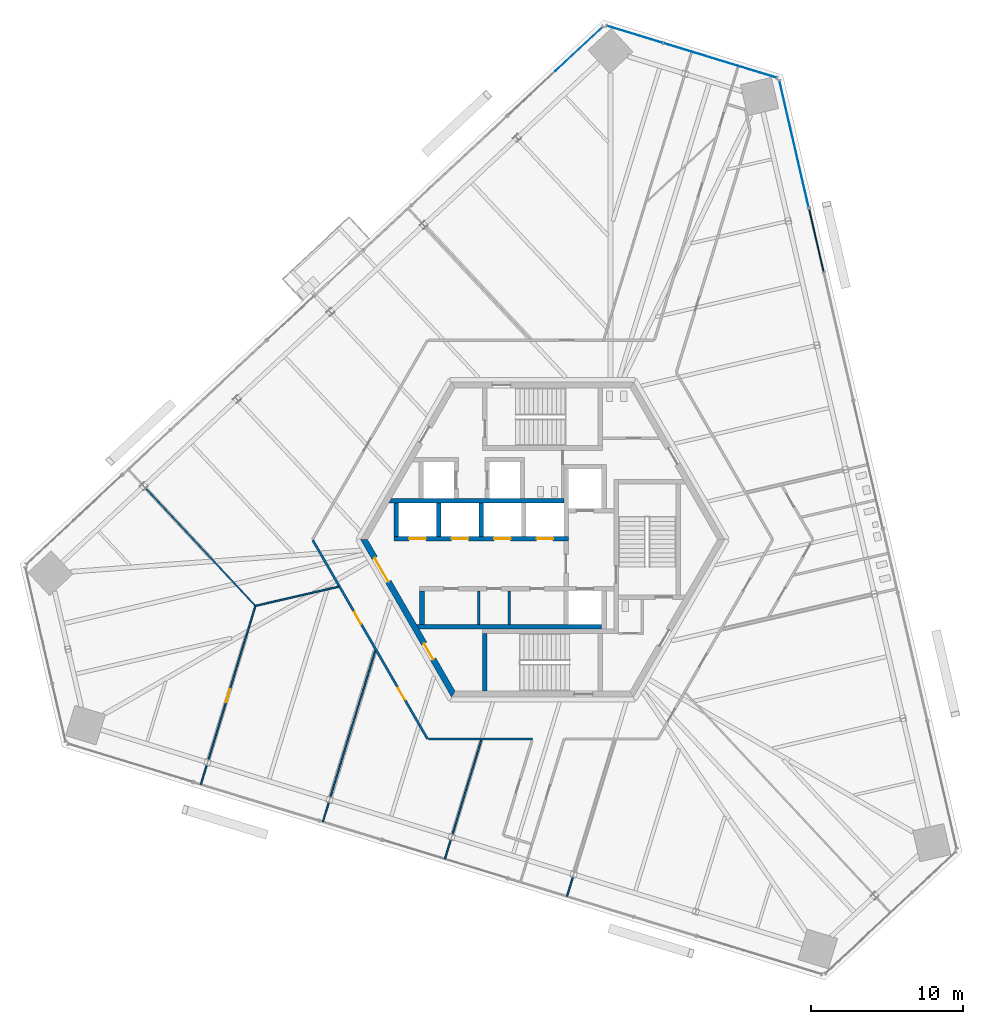
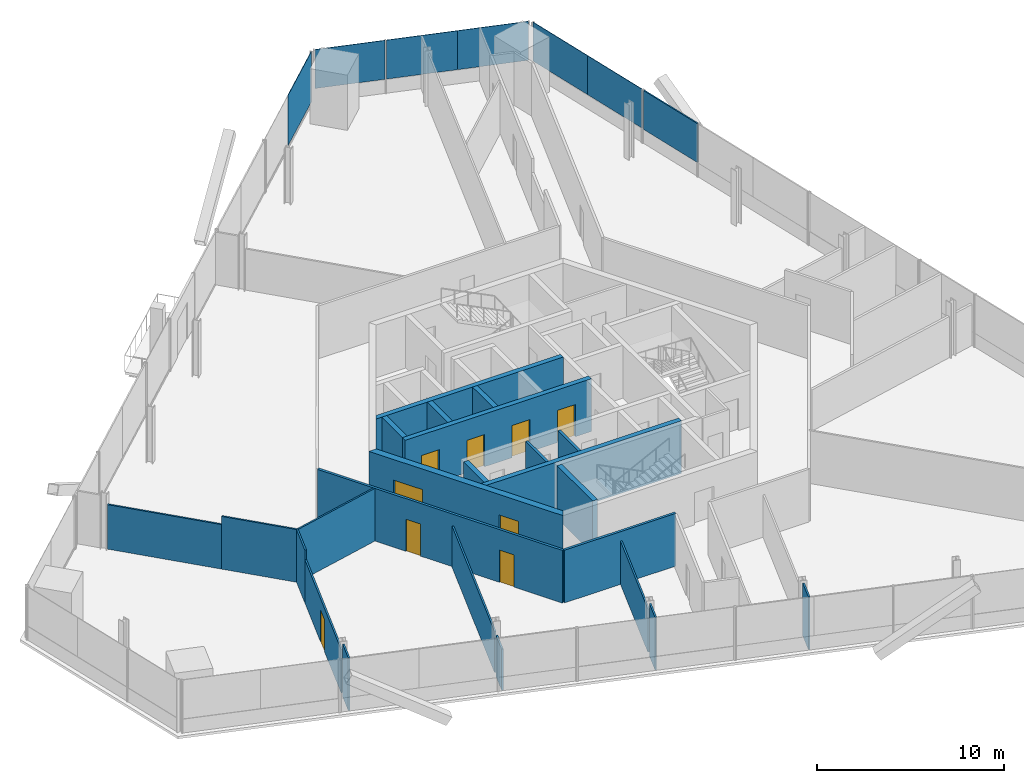
# One storey, part 10 of 17: 24 walls, 9 doors, 7 plates, 9 openings, 4 elements without a shape of their own.
"""IFC4 building model written with IfcOpenShell, lengths in metres."""

import ifcopenshell
import ifcopenshell.guid

model = None  # the IFC model being written
_history = None  # IfcOwnerHistory: only IFC2X3 demands one
_inside = {}  # id of a spatial element -> (the spatial element, [elements in it])
_under = {}  # id of a project, library or spatial element -> (it, [spatial elements below it])
_declared = {}  # id of a project -> (the project, [libraries it declares])
_typed = {}  # id of a type object -> (the type object, [elements of that type])
_made_of = {}  # id of a material, layer set ... -> (it, [elements and type objects made of it])


def new_model(schema):
    """Start an empty IFC model of exactly this schema.

    Asked for "IFC4X3", IfcOpenShell would pick the latest addendum, in which some entities
    have other attributes; the version numbers below select the first issue.
    IFC2X3 requires an IfcOwnerHistory on every rooted entity: one is made here for all.
    """
    global model, _history
    if schema == "IFC4X3":
        model = ifcopenshell.file(schema_version=(4, 3, 0, 0))
    else:
        model = ifcopenshell.file(schema=schema)
    _inside.clear()
    _under.clear()
    _declared.clear()
    _typed.clear()
    _made_of.clear()
    _history = None
    if model.schema == "IFC2X3":
        org = make("IfcOrganization", Name="unknown")
        user = make(
            "IfcPersonAndOrganization",
            ThePerson=make("IfcPerson", FamilyName="unknown"),
            TheOrganization=org,
        )
        app = make(
            "IfcApplication",
            ApplicationDeveloper=org,
            Version="unknown",
            ApplicationFullName="unknown",
            ApplicationIdentifier="unknown",
        )
        _history = make(
            "IfcOwnerHistory",
            OwningUser=user,
            OwningApplication=app,
            ChangeAction="ADDED",
            CreationDate=0,
        )
    return model


def make(cls, **values):
    """One entity of the class cls with the attributes given. An attribute that is None is left unset."""
    return model.create_entity(
        cls, **{name: value for name, value in values.items() if value is not None}
    )


def rooted(cls, **values):
    """An entity with a GlobalId (a new one), such as an element, a storey or a relation."""
    return make(cls, GlobalId=ifcopenshell.guid.new(), OwnerHistory=_history, **values)


def si_unit(unit_type, name, prefix=None):
    """IfcSIUnit, for example si_unit("LENGTHUNIT", "METRE", prefix="MILLI")."""
    return make("IfcSIUnit", UnitType=unit_type, Prefix=prefix, Name=name)


def assignment(units):
    """IfcUnitAssignment: the units of a project."""
    return None if units is None else make("IfcUnitAssignment", Units=units)


def point(xyz):
    """IfcCartesianPoint."""
    return None if xyz is None else make("IfcCartesianPoint", Coordinates=xyz)


def direction(xyz):
    """IfcDirection."""
    return None if xyz is None else make("IfcDirection", DirectionRatios=xyz)


def frame(location, z_axis=None, x_axis=None):
    """IfcAxis2Placement3D, a coordinate frame: its origin and axes. An axis left out is left unset."""
    return make(
        "IfcAxis2Placement3D",
        Location=point(location),
        Axis=direction(z_axis),
        RefDirection=direction(x_axis),
    )


def frame_2d(location, x_axis=None):
    """IfcAxis2Placement2D, a coordinate frame in the plane: its origin and x axis."""
    return make(
        "IfcAxis2Placement2D", Location=point(location), RefDirection=direction(x_axis)
    )


def origin():
    """The frame at (0, 0, 0) with its axes left unset."""
    return frame((0.0, 0.0, 0.0))


def origin_2d():
    """The frame at (0, 0) in the plane with its x axis left unset."""
    return frame_2d((0.0, 0.0))


def place(relative_to, where):
    """IfcLocalPlacement: puts the frame where relative to a parent placement (None: the world)."""
    return make(
        "IfcLocalPlacement", PlacementRelTo=relative_to, RelativePlacement=where
    )


def context(
    kind, dimensions, precision=None, world=None, true_north=None, identifier=None
):
    """IfcGeometricRepresentationContext, for example the 3D "Model" context."""
    return make(
        "IfcGeometricRepresentationContext",
        ContextIdentifier=identifier,
        ContextType=kind,
        CoordinateSpaceDimension=dimensions,
        Precision=precision,
        WorldCoordinateSystem=world,
        TrueNorth=true_north,
    )


def subcontext(parent, identifier, kind, view, scale=None):
    """IfcGeometricRepresentationSubContext, for example "Body" below "Model"."""
    return make(
        "IfcGeometricRepresentationSubContext",
        ContextIdentifier=identifier,
        ContextType=kind,
        ParentContext=parent,
        TargetScale=scale,
        TargetView=view,
    )


def project(units=None, contexts=None):
    """IfcProject with its units and contexts."""
    return rooted(
        "IfcProject",
        Name="project",
        RepresentationContexts=contexts,
        UnitsInContext=assignment(units),
    )


def spatial(cls, under=None, at=None, **own):
    """A site, building, storey or space (cls), placed at a placement, below another one or the project."""
    s = rooted(cls, ObjectPlacement=at, **own)
    if under is not None:
        _under.setdefault(under.id(), (under, []))[1].append(s)
    return s


def polyline(points):
    """IfcPolyline through the points."""
    return make("IfcPolyline", Points=[point(p) for p in points])


def profile(cls, at=None, kind="AREA", **sizes):
    """A parametric profile (cls). Its sizes go by their IFC names, for example OverallWidth=200.0."""
    return make(cls, ProfileType=kind, Position=at, **sizes)


def rectangle(**sizes):
    """IfcRectangleProfileDef."""
    return profile("IfcRectangleProfileDef", **sizes)


def outline(outer, holes=None, kind="AREA"):
    """IfcArbitraryClosedProfileDef: a profile drawn as a closed curve; with holes, ...WithVoids."""
    if holes is None:
        return make("IfcArbitraryClosedProfileDef", ProfileType=kind, OuterCurve=outer)
    return make(
        "IfcArbitraryProfileDefWithVoids",
        ProfileType=kind,
        OuterCurve=outer,
        InnerCurves=holes,
    )


def extrude(swept, where, along, depth):
    """IfcExtrudedAreaSolid: the profile swept, set in the frame where, extruded along a direction by depth."""
    return make(
        "IfcExtrudedAreaSolid",
        SweptArea=swept,
        Position=where,
        ExtrudedDirection=direction(along),
        Depth=depth,
    )


def shape(context_of_items, identifier, shape_type, items):
    """IfcShapeRepresentation: the items that make up one representation, for example the "Body"."""
    return make(
        "IfcShapeRepresentation",
        ContextOfItems=context_of_items,
        RepresentationIdentifier=identifier,
        RepresentationType=shape_type,
        Items=items,
    )


def source(mapping_origin, context_of_items, identifier, shape_type, items):
    """IfcRepresentationMap: a shape defined once, which mapped items show again and again."""
    return make(
        "IfcRepresentationMap",
        MappingOrigin=mapping_origin,
        MappedRepresentation=shape(context_of_items, identifier, shape_type, items),
    )


def transform(
    local_origin,
    x_axis=None,
    y_axis=None,
    z_axis=None,
    scale=None,
    scale2=None,
    scale3=None,
    uniform=True,
):
    """IfcCartesianTransformationOperator3D, or its non-uniform kind. x_axis, y_axis, z_axis: its Axis1, 2, 3."""
    if uniform:
        return make(
            "IfcCartesianTransformationOperator3D",
            Axis1=direction(x_axis),
            Axis2=direction(y_axis),
            LocalOrigin=point(local_origin),
            Scale=scale,
            Axis3=direction(z_axis),
        )
    return make(
        "IfcCartesianTransformationOperator3DnonUniform",
        Axis1=direction(x_axis),
        Axis2=direction(y_axis),
        LocalOrigin=point(local_origin),
        Scale=scale,
        Axis3=direction(z_axis),
        Scale2=scale2,
        Scale3=scale3,
    )


def mapped(mapping_source, mapping_target):
    """IfcMappedItem: shows the shape of a source again, moved by a transform."""
    return make(
        "IfcMappedItem", MappingSource=mapping_source, MappingTarget=mapping_target
    )


def material(Name=None, Category=None):
    """IfcMaterial."""
    return make("IfcMaterial", Name=Name, Category=Category)


def layer(
    of_material, thickness, ventilated=None, Name=None, Category=None, Priority=None
):
    """IfcMaterialLayer: one layer of a wall or slab, of a material (None: an air gap)."""
    return make(
        "IfcMaterialLayer",
        Material=of_material,
        LayerThickness=thickness,
        IsVentilated=ventilated,
        Name=Name,
        Category=Category,
        Priority=Priority,
    )


def layer_set(layers, Name=None):
    """IfcMaterialLayerSet."""
    return make("IfcMaterialLayerSet", MaterialLayers=layers, LayerSetName=Name)


def made_of(thing, what):
    """Note that an element or type object is made of a material, layer set ...; save() writes the relation."""
    if what is not None:
        _made_of.setdefault(what.id(), (what, []))[1].append(thing)
    return thing


def type_object(cls, material=None, **own):
    """A type object (cls), such as IfcWallType, which elements share."""
    return made_of(rooted(cls, **own), material)


def element(
    cls,
    number,
    at=None,
    inside=None,
    cuts=None,
    type_object=None,
    material=None,
    context=None,
    identifier="Body",
    shape_type=None,
    held_by="IfcProductDefinitionShape",
    body=None,
    shapes=None,
    **own,
):
    """One element of the class cls, such as IfcWall. Its Tag is "e" and its number.

    at: its placement. inside: the storey or other place that contains it. cuts: it is an
    opening in that element (IfcRelVoidsElement). A single representation is given by context,
    identifier, shape_type and body (its items); several are given by shapes. held_by: the class
    of the entity that holds the representations. save() writes the other relations.
    """
    e = rooted(cls, Tag="e%d" % number, ObjectPlacement=at, **own)
    if body is not None:
        shapes = [shape(context, identifier, shape_type, body)]
    if shapes is not None:
        e.Representation = make(held_by, Representations=shapes)
    if inside is not None:
        _inside.setdefault(inside.id(), (inside, []))[1].append(e)
    if cuts is not None:
        rooted(
            "IfcRelVoidsElement", RelatingBuildingElement=cuts, RelatedOpeningElement=e
        )
    if type_object is not None:
        _typed.setdefault(type_object.id(), (type_object, []))[1].append(e)
    return made_of(e, material)


def fill(opening, filler):
    """IfcRelFillsElement: the door or window that sits in an opening."""
    return rooted(
        "IfcRelFillsElement",
        RelatingOpeningElement=opening,
        RelatedBuildingElement=filler,
    )


def aggregate(whole, parts):
    """IfcRelAggregates: a whole, such as a stair, and the parts it consists of."""
    return rooted("IfcRelAggregates", RelatingObject=whole, RelatedObjects=parts)


def save(model, path):
    """Write the relations noted so far, then the file.

    IfcRelAggregates (storeys below a building ...), IfcRelContainedInSpatialStructure (elements
    in a storey), IfcRelDefinesByType, IfcRelAssociatesMaterial and IfcRelDeclares: one each for
    every whole, place, type object, material and project.
    """
    for whole, parts in _under.values():
        aggregate(whole, parts)
    for where, things in _inside.values():
        rooted(
            "IfcRelContainedInSpatialStructure",
            RelatedElements=things,
            RelatingStructure=where,
        )
    for kind, things in _typed.values():
        rooted("IfcRelDefinesByType", RelatedObjects=things, RelatingType=kind)
    for what, things in _made_of.values():
        rooted("IfcRelAssociatesMaterial", RelatedObjects=things, RelatingMaterial=what)
    for by, libraries in _declared.values():
        rooted("IfcRelDeclares", RelatingContext=by, RelatedDefinitions=libraries)
    model.write(path)


model = new_model("IFC4")

# Units and contexts
model_context = context("Model", 3, precision=1e-05, world=origin(), true_north=direction((0.0, 1.0)))
body_context = subcontext(model_context, "Body", "Model", "MODEL_VIEW")
ifc_project = project(units=[si_unit("LENGTHUNIT", "METRE"), si_unit("AREAUNIT", "SQUARE_METRE"), si_unit("VOLUMEUNIT", "CUBIC_METRE"), si_unit("PLANEANGLEUNIT", "RADIAN"), si_unit("MASSUNIT", "GRAM", prefix="KILO")], contexts=[model_context])

# Site, building, storey
site_placement = place(None, origin())
site = spatial("IfcSite", under=ifc_project, at=site_placement, CompositionType="ELEMENT")
building_placement = place(site_placement, origin())
building = spatial("IfcBuilding", under=site, at=building_placement, Name="Triune Harvest Tower", CompositionType="ELEMENT")
storey_placement = place(building_placement, frame((0.0, 0.0, 123.5)))
storey = spatial("IfcBuildingStorey", under=building, at=storey_placement, Name="L31", CompositionType="ELEMENT", Elevation=123.5)

# Curtain wall, plates
ifc_material_1 = material(Name="Aluminium bronze anodised", Category="aluminium")
curtain_wall_type_1 = type_object("IfcCurtainWallType", Name="CW-1 Tower stick curtain wall", PredefinedType="NOTDEFINED", material=ifc_material_1)
curtain_wall_1_placement = place(storey_placement, origin())
curtain_wall_1 = element("IfcCurtainWall", 1, at=curtain_wall_1_placement, inside=storey, type_object=curtain_wall_type_1, Name="CW-1 B3-F2 L31 run 1")
ifc_material_2 = material(Name="Glass", Category="glass")
ifc_layer_1 = layer(ifc_material_2, 0.031982421875)
ifc_layer_set_1 = layer_set([ifc_layer_1], Name="Glass")
plate_type_1 = type_object("IfcPlateType", Name="GL-1 panel 32", PredefinedType="CURTAIN_PANEL", material=ifc_layer_set_1)
shared_shape_1 = source(origin(), body_context, "Body", "SweptSolid", [
    extrude(rectangle(XDim=3.8740234375, YDim=0.031982421875, at=origin_2d()), origin(), (0.0, 0.0, 1.0), 2.5400390625),
])
plate_1_placement = place(storey_placement, frame((13.573974609375, 31.01953125, 0.89990234375), z_axis=(0.0, 0.0, 1.0), x_axis=(-0.956303148607, 0.292376962095, 0.0)))
plate_1 = element("IfcPlate", 2, at=plate_1_placement, type_object=plate_type_1, Name="CW-1 panel B3-F2 1.1", PredefinedType="CURTAIN_PANEL", context=body_context, shape_type="MappedRepresentation", body=[
    mapped(shared_shape_1, transform((0.0, 0.0, 0.0), scale=1.0)),
])
shared_shape_2 = source(origin(), body_context, "Body", "SweptSolid", [
    extrude(rectangle(XDim=3.911376953125, YDim=0.031982421875, at=origin_2d()), origin(), (0.0, 0.0, 1.0), 2.5400390625),
])
plate_2_placement = place(storey_placement, frame((9.851318359375, 32.15771484375, 0.89990234375), z_axis=(0.0, 0.0, 1.0), x_axis=(-0.956303148607, 0.292376962095, 0.0)))
plate_2 = element("IfcPlate", 3, at=plate_2_placement, type_object=plate_type_1, Name="CW-1 panel B3-F2 1.2", PredefinedType="CURTAIN_PANEL", context=body_context, shape_type="MappedRepresentation", body=[
    mapped(shared_shape_2, transform((0.0, 0.0, 0.0), scale=1.0)),
])
shared_shape_3 = source(origin(), body_context, "Body", "SweptSolid", [
    extrude(rectangle(XDim=3.83642578125, YDim=0.031982421875, at=origin_2d()), origin(), (0.0, 0.0, 1.0), 2.5400390625),
])
plate_3_placement = place(storey_placement, frame((6.07470703125, 33.312255859375, 0.89990234375), z_axis=(0.0, 0.0, 1.0), x_axis=(-0.956303148607, 0.292376962095, 0.0)))
plate_3 = element("IfcPlate", 4, at=plate_3_placement, type_object=plate_type_1, Name="CW-1 panel B3-F2 1.3", PredefinedType="CURTAIN_PANEL", context=body_context, shape_type="MappedRepresentation", body=[
    mapped(shared_shape_3, transform((0.0, 0.0, 0.0), scale=1.0)),
])
aggregate(curtain_wall_1, [plate_1, plate_2, plate_3])

curtain_wall_2_placement = place(storey_placement, origin())
curtain_wall_2 = element("IfcCurtainWall", 5, at=curtain_wall_2_placement, inside=storey, type_object=curtain_wall_type_1, Name="CW-1 B3-F1 L31 run 4001")
shared_shape_4 = source(origin(), body_context, "Body", "SweptSolid", [
    extrude(rectangle(XDim=4.263427734375, YDim=0.031982421875, at=origin_2d()), origin(), (0.0, 0.0, 1.0), 2.5400390625),
])
plate_4_placement = place(storey_placement, frame((17.059814453125, 24.01318359375, 0.89990234375), z_axis=(0.0, 0.0, 1.0), x_axis=(-0.224953669027, 0.974369461134, 0.0)))
plate_4 = element("IfcPlate", 6, at=plate_4_placement, type_object=plate_type_1, Name="CW-1 panel B3-F1 4001.1", PredefinedType="CURTAIN_PANEL", context=body_context, shape_type="MappedRepresentation", body=[
    mapped(shared_shape_4, transform((0.0, 0.0, 0.0), scale=1.0)),
])
plate_5_placement = place(storey_placement, frame((16.1005859375, 28.167236328125, 0.89990234375), z_axis=(0.0, 0.0, 1.0), x_axis=(-0.224953669027, 0.974369461134, 0.0)))
plate_5 = element("IfcPlate", 7, at=plate_5_placement, type_object=plate_type_1, Name="CW-1 panel B3-F1 4001.2", PredefinedType="CURTAIN_PANEL", context=body_context, shape_type="MappedRepresentation", body=[
    mapped(shared_shape_4, transform((0.0, 0.0, 0.0), scale=1.0)),
])
aggregate(curtain_wall_2, [plate_4, plate_5])

# Curtain wall, plate
ifc_material_3 = material(Name="Aluminium bronze anodised", Category="aluminium")
curtain_wall_type_2 = type_object("IfcCurtainWallType", Name="CW-6 Balcony window wall", PredefinedType="NOTDEFINED", material=ifc_material_3)
curtain_wall_3_placement = place(storey_placement, origin())
curtain_wall_3 = element("IfcCurtainWall", 8, at=curtain_wall_3_placement, inside=storey, type_object=curtain_wall_type_2, Name="CW-6 B3-F3 L31 run 1")
ifc_material_4 = material(Name="Glass", Category="glass")
ifc_layer_2 = layer(ifc_material_4, 0.030029296875)
ifc_layer_set_2 = layer_set([ifc_layer_2], Name="Glass")
plate_type_2 = type_object("IfcPlateType", Name="GL-6 panel 30", PredefinedType="CURTAIN_PANEL", material=ifc_layer_set_2)
shared_shape_5 = source(origin(), body_context, "Body", "SweptSolid", [
    extrude(rectangle(XDim=4.26025390625, YDim=0.030029296875, at=origin_2d()), origin(), (0.0, 0.0, 1.0), 3.2900390625),
])
plate_6_placement = place(storey_placement, frame((2.404052734375, 32.356201171875, 0.14990234375), z_axis=(0.0, 0.0, 1.0), x_axis=(-0.731354318331, -0.681997698719, 0.0)))
plate_6 = element("IfcPlate", 9, at=plate_6_placement, type_object=plate_type_2, Name="CW-6 panel B3-F3 1.1", PredefinedType="CURTAIN_PANEL", context=body_context, shape_type="MappedRepresentation", body=[
    mapped(shared_shape_5, transform((0.0, 0.0, 0.0), scale=1.0)),
])
aggregate(curtain_wall_3, [plate_6])

ifc_material_5 = material(Name="Aluminium bronze anodised", Category="aluminium")
curtain_wall_type_3 = type_object("IfcCurtainWallType", Name="CW-7 Tower stick curtain wall with insulated spandrel infill", PredefinedType="NOTDEFINED", material=ifc_material_5)
curtain_wall_4_placement = place(storey_placement, origin())
curtain_wall_4 = element("IfcCurtainWall", 10, at=curtain_wall_4_placement, inside=storey, type_object=curtain_wall_type_3, Name="CW-7 B3-F1 L31 run 3001")
ifc_material_6 = material(Name="Insulated spandrel panel, bronze aluminium pan", Category="aluminium")
ifc_layer_3 = layer(ifc_material_6, 0.080078125)
ifc_layer_set_3 = layer_set([ifc_layer_3], Name="Insulated spandrel panel, bronze aluminium pan")
plate_type_3 = type_object("IfcPlateType", Name="SP-1 insulated spandrel panel 80", PredefinedType="CURTAIN_PANEL", material=ifc_layer_set_3)
shared_shape_6 = source(origin(), body_context, "Body", "SweptSolid", [
    extrude(rectangle(XDim=4.225830078125, YDim=0.080078125, at=origin_2d()), origin(), (0.0, 0.0, 1.0), 2.5400390625),
])
plate_7_placement = place(storey_placement, frame((18.04833984375, 19.731201171875, 0.89990234375), z_axis=(0.0, 0.0, 1.0), x_axis=(-0.224947044811, 0.97437099045, 0.0)))
plate_7 = element("IfcPlate", 11, at=plate_7_placement, type_object=plate_type_3, Name="CW-7 panel B3-F1 3001.3", PredefinedType="CURTAIN_PANEL", context=body_context, shape_type="MappedRepresentation", body=[
    mapped(shared_shape_6, transform((0.0, 0.0, 0.0), scale=1.0)),
])
aggregate(curtain_wall_4, [plate_7])

# Wall, openings, doors
ifc_material_7 = material(Name="Gypsum board on steel studs", Category="steel")
ifc_layer_4 = layer(ifc_material_7, 0.14990234375)
ifc_layer_set_4 = layer_set([ifc_layer_4], Name="Gypsum board on steel studs")
wall_type_1 = type_object("IfcWallType", Name="Fire Partition 150 mm", PredefinedType="PARTITIONING", material=ifc_layer_set_4)
wall_1_placement = place(storey_placement, frame((-15.155517578125, -0.03466796875, 0.0), z_axis=(0.0, 0.0, 1.0), x_axis=(0.50000264641, -0.866023875874, 0.0)))
wall_1 = element("IfcWall", 12, at=wall_1_placement, inside=storey, type_object=wall_type_1, Name="Partition L31 002", PredefinedType="PARTITIONING", context=body_context, shape_type="SweptSolid", body=[
    extrude(rectangle(XDim=15.13525390625, YDim=0.14990234375, at=frame_2d((7.567626953125, 0.0))), origin(), (0.0, 0.0, 1.0), 3.43994140625),
])
opening_1_placement = place(wall_1_placement, frame((5.4794921875, 0.0, 0.0)))
opening_1 = element("IfcOpeningElement", 13, at=opening_1_placement, cuts=wall_1, Name="Opening L31-012", PredefinedType="OPENING", context=body_context, shape_type="SweptSolid", body=[
    extrude(rectangle(XDim=0.89990234375, YDim=2.10009765625, at=frame_2d((0.449951171875, 1.050048828125))), frame((0.0, 0.0849609375, 0.0), z_axis=(0.0, -1.0, 0.0), x_axis=(1.0, 0.0, 0.0)), (0.0, 0.0, 1.0), 0.169921875),
])
opening_2_placement = place(wall_1_placement, frame((11.247802734375, 0.0, 0.0)))
opening_2 = element("IfcOpeningElement", 14, at=opening_2_placement, cuts=wall_1, Name="Opening L31-013", PredefinedType="OPENING", context=body_context, shape_type="SweptSolid", body=[
    extrude(rectangle(XDim=0.89990234375, YDim=2.10009765625, at=frame_2d((0.449951171875, 1.050048828125))), frame((0.0, 0.0849609375, 0.0), z_axis=(0.0, -1.0, 0.0), x_axis=(1.0, 0.0, 0.0)), (0.0, 0.0, 1.0), 0.169921875),
])
ifc_material_8 = material(Name="Timber and steel door set", Category="steel")
door_type_1 = type_object("IfcDoorType", Name="Single leaf door FD30 left hand 900 x 2100", OperationType="SINGLE_SWING_LEFT", PredefinedType="DOOR", material=ifc_material_8)
door_1_placement = place(opening_2_placement, origin())
door_1 = element("IfcDoor", 15, at=door_1_placement, inside=storey, type_object=door_type_1, Name="Door L31-013 Pantry 31.13", OperationType="SINGLE_SWING_LEFT", OverallHeight=2.10009765625, OverallWidth=0.89990234375, PredefinedType="DOOR", context=body_context, shape_type="SweptSolid", body=[
    extrude(rectangle(XDim=0.89990234375, YDim=2.10009765625, at=frame_2d((0.449951171875, 1.050048828125))), frame((0.0, 0.02490234375, 0.0), z_axis=(0.0, -1.0, 0.0), x_axis=(1.0, 0.0, 0.0)), (0.0, 0.0, 1.0), 0.050048828125),
])
fill(opening_2, door_1)
ifc_material_9 = material(Name="Timber and steel door set", Category="steel")
door_type_2 = type_object("IfcDoorType", Name="Single leaf door FD30 right hand 900 x 2100", OperationType="SINGLE_SWING_RIGHT", PredefinedType="DOOR", material=ifc_material_9)
door_2_placement = place(opening_1_placement, origin())
door_2 = element("IfcDoor", 16, at=door_2_placement, inside=storey, type_object=door_type_2, Name="Door L31-012 Office 31.12", OperationType="SINGLE_SWING_RIGHT", OverallHeight=2.10009765625, OverallWidth=0.89990234375, PredefinedType="DOOR", context=body_context, shape_type="SweptSolid", body=[
    extrude(rectangle(XDim=0.89990234375, YDim=2.10009765625, at=frame_2d((0.449951171875, 1.050048828125))), frame((0.0, 0.02490234375, 0.0), z_axis=(0.0, -1.0, 0.0), x_axis=(1.0, 0.0, 0.0)), (0.0, 0.0, 1.0), 0.050048828125),
])
fill(opening_1, door_2)

# Walls
wall_2_placement = place(storey_placement, frame((-7.53759765625, -13.142333984375, 0.0), z_axis=(0.0, 0.0, 1.0), x_axis=(1.0, 0.0, 0.0)))
element("IfcWall", 17, at=wall_2_placement, inside=storey, type_object=wall_type_1, Name="Partition L31 013", PredefinedType="PARTITIONING", context=body_context, shape_type="SweptSolid", body=[
    extrude(rectangle(XDim=6.873291015625, YDim=0.14990234375, at=frame_2d((3.4365234375, 0.0))), origin(), (0.0, 0.0, 1.0), 3.43994140625),
])
ifc_material_10 = material(Name="Gypsum board on steel studs", Category="steel")
ifc_layer_5 = layer(ifc_material_10, 0.10009765625)
ifc_layer_set_5 = layer_set([ifc_layer_5], Name="Gypsum board on steel studs")
wall_type_2 = type_object("IfcWallType", Name="Partition 100 mm", PredefinedType="PARTITIONING", material=ifc_layer_set_5)
wall_3_placement = place(storey_placement, frame((-21.81689453125, -1.280029296875, 0.0), z_axis=(0.0, 0.0, 1.0), x_axis=(0.681981127868, -0.731369770521, 0.0)))
element("IfcWall", 18, at=wall_3_placement, inside=storey, type_object=wall_type_2, Name="Partition L31 006a", PredefinedType="PARTITIONING", context=body_context, shape_type="SweptSolid", body=[
    extrude(rectangle(XDim=4.206787109375, YDim=0.10009765625, at=frame_2d((2.103515625, 0.0))), origin(), (0.0, 0.0, 1.0), 3.43994140625),
])
wall_4_placement = place(storey_placement, frame((-18.914794921875, -4.36669921875, 0.0), z_axis=(0.0, 0.0, 1.0), x_axis=(0.974374291793, 0.224932744378, 0.0)))
element("IfcWall", 19, at=wall_4_placement, inside=storey, type_object=wall_type_2, Name="Partition L31 020", PredefinedType="PARTITIONING", context=body_context, shape_type="SweptSolid", body=[
    extrude(rectangle(XDim=5.599609375, YDim=0.10009765625, at=frame_2d((2.7998046875, 0.0))), origin(), (0.0, 0.0, 1.0), 3.43994140625),
])
wall_5_placement = place(storey_placement, frame((-14.486083984375, -18.601806640625, 0.0), z_axis=(0.0, 0.0, 1.0), x_axis=(0.292431725513, 0.956286403706, 0.0)))
element("IfcWall", 20, at=wall_5_placement, inside=storey, type_object=wall_type_2, Name="Partition L31 039", PredefinedType="PARTITIONING", context=body_context, shape_type="SweptSolid", body=[
    extrude(rectangle(XDim=1.33837890625, YDim=0.10009765625, at=frame_2d((0.669189453125, 0.0))), origin(), (0.0, 0.0, 1.0), 2.68310546875),
])

# Wall, openings, doors
ifc_material_11 = material(Name="Concrete 70 MPa", Category="concrete")
ifc_layer_6 = layer(ifc_material_11, 0.39990234375)
ifc_layer_set_6 = layer_set([ifc_layer_6], Name="Concrete 70 MPa")
wall_type_3 = type_object("IfcWallType", Name="Core wall 400", PredefinedType="SHEAR", material=ifc_layer_set_6)
shared_shape_7 = source(origin(), body_context, "Body", "SweptSolid", [
    extrude(outline(polyline([(-0.115478515625, -0.199951171875), (11.884521484375, -0.199951171875), (11.653564453125, 0.199951171875), (0.115478515625, 0.199951171875), (-0.115478515625, -0.199951171875)])), origin(), (0.0, 0.0, 1.0), 3.43994140625),
])
wall_6_placement = place(storey_placement, frame((-11.76904296875, 0.0, 0.0), z_axis=(0.0, 0.0, 1.0), x_axis=(0.499996592174, -0.866027371285, 0.0)))
wall_6 = element("IfcWall", 21, at=wall_6_placement, inside=storey, type_object=wall_type_3, Name="Hexagon 3 wall", PredefinedType="SHEAR", context=body_context, shape_type="MappedRepresentation", body=[
    mapped(shared_shape_7, transform((0.0, 0.0, 0.0), scale=1.0)),
])
opening_3_placement = place(wall_6_placement, frame((1.404541015625, 0.0, 0.0)))
opening_3 = element("IfcOpeningElement", 22, at=opening_3_placement, cuts=wall_6, Name="Opening CD-LS", PredefinedType="OPENING", context=body_context, shape_type="SweptSolid", body=[
    extrude(rectangle(XDim=1.800048828125, YDim=2.10009765625, at=frame_2d((0.89990234375, 1.050048828125))), frame((0.0, 0.2099609375, 0.0), z_axis=(0.0, -1.0, 0.0), x_axis=(1.0, 0.0, 0.0)), (0.0, 0.0, 1.0), 0.419921875),
])
opening_4_placement = place(wall_6_placement, frame((7.91455078125, 0.0, 0.0)))
opening_4 = element("IfcOpeningElement", 23, at=opening_4_placement, cuts=wall_6, Name="Opening CD-SWP", PredefinedType="OPENING", context=body_context, shape_type="SweptSolid", body=[
    extrude(rectangle(XDim=1.199951171875, YDim=2.10009765625, at=frame_2d((0.60009765625, 1.050048828125))), frame((0.0, 0.2099609375, 0.0), z_axis=(0.0, -1.0, 0.0), x_axis=(1.0, 0.0, 0.0)), (0.0, 0.0, 1.0), 0.419921875),
])
ifc_material_12 = material(Name="Steel S235", Category="steel")
door_type_3 = type_object("IfcDoorType", Name="Lobby door 1800 FD120", OperationType="DOUBLE_DOOR_DOUBLE_SWING", PredefinedType="DOOR", material=ifc_material_12)
door_3_placement = place(opening_3_placement, frame((1.800048828125, 0.0, 0.0), z_axis=(0.0, 0.0, 1.0), x_axis=(-1.0, 0.0, 0.0)))
door_3 = element("IfcDoor", 24, at=door_3_placement, inside=storey, type_object=door_type_3, Name="Door CD-LS", OperationType="DOUBLE_DOOR_DOUBLE_SWING", OverallHeight=2.10009765625, OverallWidth=1.800048828125, PredefinedType="DOOR", context=body_context, shape_type="SweptSolid", body=[
    extrude(rectangle(XDim=1.800048828125, YDim=2.10009765625, at=frame_2d((0.89990234375, 1.050048828125))), frame((0.0, 0.02490234375, 0.0), z_axis=(0.0, -1.0, 0.0), x_axis=(1.0, 0.0, 0.0)), (0.0, 0.0, 1.0), 0.050048828125),
])
fill(opening_3, door_3)
ifc_material_13 = material(Name="Steel S235", Category="steel")
door_type_4 = type_object("IfcDoorType", Name="Service door 1200 FD120", OperationType="SINGLE_SWING_LEFT", PredefinedType="DOOR", material=ifc_material_13)
door_4_placement = place(opening_4_placement, frame((1.199951171875, 0.0, 0.0), z_axis=(0.0, 0.0, 1.0), x_axis=(-1.0, 0.0, 0.0)))
door_4 = element("IfcDoor", 25, at=door_4_placement, inside=storey, type_object=door_type_4, Name="Door CD-SWP", OperationType="SINGLE_SWING_RIGHT", OverallHeight=2.10009765625, OverallWidth=1.199951171875, PredefinedType="DOOR", context=body_context, shape_type="SweptSolid", body=[
    extrude(rectangle(XDim=1.199951171875, YDim=2.10009765625, at=frame_2d((0.60009765625, 1.050048828125))), frame((0.0, 0.02490234375, 0.0), z_axis=(0.0, -1.0, 0.0), x_axis=(1.0, 0.0, 0.0)), (0.0, 0.0, 1.0), 0.050048828125),
])
fill(opening_4, door_4)

ifc_material_14 = material(Name="Concrete 70 MPa", Category="concrete")
ifc_layer_7 = layer(ifc_material_14, 0.300048828125)
ifc_layer_set_7 = layer_set([ifc_layer_7], Name="Concrete 70 MPa")
wall_type_4 = type_object("IfcWallType", Name="Core wall 300", PredefinedType="SHEAR", material=ifc_layer_set_7)
shared_shape_8 = source(origin(), body_context, "Body", "SweptSolid", [
    extrude(rectangle(XDim=11.5, YDim=0.300048828125, at=frame_2d((5.75, 0.0))), origin(), (0.0, 0.0, 1.0), 3.43994140625),
])
wall_7_placement = place(storey_placement, frame((-9.800048828125, 0.06005859375, 0.0), z_axis=(0.0, 0.0, 1.0), x_axis=(1.0, 0.0, 0.0)))
wall_7 = element("IfcWall", 26, at=wall_7_placement, inside=storey, type_object=wall_type_4, Name="North front wall", PredefinedType="SHEAR", context=body_context, shape_type="MappedRepresentation", body=[
    mapped(shared_shape_8, transform((0.0, 0.0, 0.0), scale=1.0)),
])
opening_5_placement = place(wall_7_placement, frame((1.0, 0.0, 0.0)))
opening_5 = element("IfcOpeningElement", 27, at=opening_5_placement, cuts=wall_7, Name="Opening LD-LR1-31", PredefinedType="OPENING", context=body_context, shape_type="SweptSolid", body=[
    extrude(rectangle(XDim=1.10009765625, YDim=2.10009765625, at=frame_2d((0.550048828125, 1.050048828125))), frame((0.0, 0.16015625, 0.0), z_axis=(0.0, -1.0, 0.0), x_axis=(1.0, 0.0, 0.0)), (0.0, 0.0, 1.0), 0.320068359375),
])
opening_6_placement = place(wall_7_placement, frame((3.800048828125, 0.0, 0.0)))
opening_6 = element("IfcOpeningElement", 28, at=opening_6_placement, cuts=wall_7, Name="Opening LD-LR2-31", PredefinedType="OPENING", context=body_context, shape_type="SweptSolid", body=[
    extrude(rectangle(XDim=1.10009765625, YDim=2.10009765625, at=frame_2d((0.550048828125, 1.050048828125))), frame((0.0, 0.16015625, 0.0), z_axis=(0.0, -1.0, 0.0), x_axis=(1.0, 0.0, 0.0)), (0.0, 0.0, 1.0), 0.320068359375),
])
opening_7_placement = place(wall_7_placement, frame((6.60009765625, 0.0, 0.0)))
opening_7 = element("IfcOpeningElement", 29, at=opening_7_placement, cuts=wall_7, Name="Opening LD-LR3-31", PredefinedType="OPENING", context=body_context, shape_type="SweptSolid", body=[
    extrude(rectangle(XDim=1.10009765625, YDim=2.10009765625, at=frame_2d((0.550048828125, 1.050048828125))), frame((0.0, 0.16015625, 0.0), z_axis=(0.0, -1.0, 0.0), x_axis=(1.0, 0.0, 0.0)), (0.0, 0.0, 1.0), 0.320068359375),
])
opening_8_placement = place(wall_7_placement, frame((9.39990234375, 0.0, 0.0)))
opening_8 = element("IfcOpeningElement", 30, at=opening_8_placement, cuts=wall_7, Name="Opening LD-LR4-31", PredefinedType="OPENING", context=body_context, shape_type="SweptSolid", body=[
    extrude(rectangle(XDim=1.10009765625, YDim=2.10009765625, at=frame_2d((0.550048828125, 1.050048828125))), frame((0.0, 0.16015625, 0.0), z_axis=(0.0, -1.0, 0.0), x_axis=(1.0, 0.0, 0.0)), (0.0, 0.0, 1.0), 0.320068359375),
])
ifc_material_15 = material(Name="Stainless steel AISI 304", Category="steel")
door_type_5 = type_object("IfcDoorType", Name="Landing door 1100 x 2100", OperationType="DOUBLE_DOOR_SLIDING", PredefinedType="DOOR", material=ifc_material_15)
door_5_placement = place(opening_5_placement, origin())
door_5 = element("IfcDoor", 31, at=door_5_placement, inside=storey, type_object=door_type_5, Name="Door LD-LR1-31", OperationType="DOUBLE_DOOR_SLIDING", OverallHeight=2.10009765625, OverallWidth=1.10009765625, PredefinedType="DOOR", context=body_context, shape_type="SweptSolid", body=[
    extrude(rectangle(XDim=1.10009765625, YDim=2.10009765625, at=frame_2d((0.550048828125, 1.050048828125))), frame((0.0, 0.02490234375, 0.0), z_axis=(0.0, -1.0, 0.0), x_axis=(1.0, 0.0, 0.0)), (0.0, 0.0, 1.0), 0.050048828125),
])
fill(opening_5, door_5)
door_6_placement = place(opening_6_placement, origin())
door_6 = element("IfcDoor", 32, at=door_6_placement, inside=storey, type_object=door_type_5, Name="Door LD-LR2-31", OperationType="DOUBLE_DOOR_SLIDING", OverallHeight=2.10009765625, OverallWidth=1.10009765625, PredefinedType="DOOR", context=body_context, shape_type="SweptSolid", body=[
    extrude(rectangle(XDim=1.10009765625, YDim=2.10009765625, at=frame_2d((0.550048828125, 1.050048828125))), frame((0.0, 0.02490234375, 0.0), z_axis=(0.0, -1.0, 0.0), x_axis=(1.0, 0.0, 0.0)), (0.0, 0.0, 1.0), 0.050048828125),
])
fill(opening_6, door_6)
door_7_placement = place(opening_7_placement, origin())
door_7 = element("IfcDoor", 33, at=door_7_placement, inside=storey, type_object=door_type_5, Name="Door LD-LR3-31", OperationType="DOUBLE_DOOR_SLIDING", OverallHeight=2.10009765625, OverallWidth=1.10009765625, PredefinedType="DOOR", context=body_context, shape_type="SweptSolid", body=[
    extrude(rectangle(XDim=1.10009765625, YDim=2.10009765625, at=frame_2d((0.550048828125, 1.050048828125))), frame((0.0, 0.02490234375, 0.0), z_axis=(0.0, -1.0, 0.0), x_axis=(1.0, 0.0, 0.0)), (0.0, 0.0, 1.0), 0.050048828125),
])
fill(opening_7, door_7)
door_8_placement = place(opening_8_placement, origin())
door_8 = element("IfcDoor", 34, at=door_8_placement, inside=storey, type_object=door_type_5, Name="Door LD-LR4-31", OperationType="DOUBLE_DOOR_SLIDING", OverallHeight=2.10009765625, OverallWidth=1.10009765625, PredefinedType="DOOR", context=body_context, shape_type="SweptSolid", body=[
    extrude(rectangle(XDim=1.10009765625, YDim=2.10009765625, at=frame_2d((0.550048828125, 1.050048828125))), frame((0.0, 0.02490234375, 0.0), z_axis=(0.0, -1.0, 0.0), x_axis=(1.0, 0.0, 0.0)), (0.0, 0.0, 1.0), 0.050048828125),
])
fill(opening_8, door_8)

# Walls
shared_shape_9 = source(origin(), body_context, "Body", "SweptSolid", [
    extrude(outline(polyline([(11.199951171875, -0.14990234375), (-0.34912109375, -0.14990234375), (-0.17578125, 0.14990234375), (11.199951171875, 0.14990234375), (11.199951171875, -0.14990234375)])), origin(), (0.0, 0.0, 1.0), 3.43994140625),
])
wall_8_placement = place(storey_placement, frame((-9.800048828125, 2.56005859375, 0.0), z_axis=(0.0, 0.0, 1.0), x_axis=(1.0, 0.0, 0.0)))
element("IfcWall", 35, at=wall_8_placement, inside=storey, type_object=wall_type_4, Name="North back wall", PredefinedType="SHEAR", context=body_context, shape_type="MappedRepresentation", body=[
    mapped(shared_shape_9, transform((0.0, 0.0, 0.0), scale=1.0)),
])
shared_shape_10 = source(origin(), body_context, "Body", "SweptSolid", [
    extrude(outline(polyline([(12.0, -0.14990234375), (-0.039794921875, -0.14990234375), (-0.212890625, 0.14990234375), (12.0, 0.14990234375), (12.0, -0.14990234375)])), origin(), (0.0, 0.0, 1.0), 3.43994140625),
])
wall_9_placement = place(storey_placement, frame((-8.10009765625, -5.739990234375, 0.0), z_axis=(0.0, 0.0, 1.0), x_axis=(1.0, 0.0, 0.0)))
element("IfcWall", 36, at=wall_9_placement, inside=storey, type_object=wall_type_4, Name="South back wall", PredefinedType="SHEAR", context=body_context, shape_type="MappedRepresentation", body=[
    mapped(shared_shape_10, transform((0.0, 0.0, 0.0), scale=1.0)),
])
shared_shape_11 = source(origin(), body_context, "Body", "SweptSolid", [
    extrude(rectangle(XDim=2.2001953125, YDim=0.300048828125, at=frame_2d((1.10009765625, 0.0))), origin(), (0.0, 0.0, 1.0), 3.43994140625),
])
wall_10_placement = place(storey_placement, frame((-7.949951171875, -5.590087890625, 0.0), z_axis=(0.0, 0.0, 1.0), x_axis=(0.0, 1.0, 0.0)))
element("IfcWall", 37, at=wall_10_placement, inside=storey, type_object=wall_type_4, Name="South end west wall", PredefinedType="SHEAR", context=body_context, shape_type="MappedRepresentation", body=[
    mapped(shared_shape_11, transform((0.0, 0.0, 0.0), scale=1.0)),
])
shared_shape_12 = source(origin(), body_context, "Body", "SweptSolid", [
    extrude(rectangle(XDim=2.199951171875, YDim=0.300048828125, at=frame_2d((1.10009765625, 0.0))), origin(), (0.0, 0.0, 1.0), 3.43994140625),
])
for number, where, z_axis, x_axis, name in (
    (38, (-9.64990234375, 0.2099609375, 0.0), (0.0, 0.0, 1.0), (0.0, 1.0, 0.0), "North end west wall"),
    (39, (-6.85009765625, 0.2099609375, 0.0), (0.0, 0.0, 1.0), (0.0, 1.0, 0.0), "North cross 1 wall"),
    (40, (-4.050048828125, 0.2099609375, 0.0), (0.0, 0.0, 1.0), (0.0, 1.0, 0.0), "North cross 2 wall"),
):
    element("IfcWall", number, at=place(storey_placement, frame(where, z_axis=z_axis, x_axis=x_axis)), inside=storey, type_object=wall_type_4, Name=name, PredefinedType="SHEAR", context=body_context, shape_type="MappedRepresentation", body=[
        mapped(shared_shape_12, transform((0.0, 0.0, 0.0), scale=1.0)),
    ])
shared_shape_13 = source(origin(), body_context, "Body", "SweptSolid", [
    extrude(outline(polyline([(3.800048828125, -0.14990234375), (-0.00439453125, -0.14990234375), (-0.00439453125, 0.14990234375), (3.800048828125, 0.14990234375), (3.800048828125, -0.14990234375)])), origin(), (0.0, 0.0, 1.0), 3.43994140625),
])
wall_11_placement = place(storey_placement, frame((-3.800048828125, -9.989990234375, 0.0), z_axis=(0.0, 0.0, 1.0), x_axis=(0.0, 1.0, 0.0)))
element("IfcWall", 41, at=wall_11_placement, inside=storey, type_object=wall_type_4, Name="Stair s west wall", PredefinedType="SHEAR", context=body_context, shape_type="MappedRepresentation", body=[
    mapped(shared_shape_13, transform((0.0, 0.0, 0.0), scale=1.0)),
])
ifc_material_16 = material(Name="Concrete masonry unit", Category="masonry")
ifc_layer_8 = layer(ifc_material_16, 0.14990234375)
ifc_layer_set_8 = layer_set([ifc_layer_8], Name="Concrete masonry unit")
wall_type_5 = type_object("IfcWallType", Name="Block partition 150", PredefinedType="PARTITIONING", material=ifc_layer_set_8)
shared_shape_14 = source(origin(), body_context, "Body", "SweptSolid", [
    extrude(rectangle(XDim=2.2001953125, YDim=0.14990234375, at=frame_2d((1.10009765625, 0.0))), origin(), (0.0, 0.0, 1.0), 3.43994140625),
])
for number, where, z_axis, x_axis, name in (
    (42, (-4.199951171875, -5.590087890625, 0.0), (0.0, 0.0, 1.0), (0.0, 1.0, 0.0), "Row s part 1 wall"),
    (43, (-2.199951171875, -5.590087890625, 0.0), (0.0, 0.0, 1.0), (0.0, 1.0, 0.0), "Row s part 2 wall"),
):
    element("IfcWall", number, at=place(storey_placement, frame(where, z_axis=z_axis, x_axis=x_axis)), inside=storey, type_object=wall_type_5, Name=name, PredefinedType="PARTITIONING", context=body_context, shape_type="MappedRepresentation", body=[
        mapped(shared_shape_14, transform((0.0, 0.0, 0.0), scale=1.0)),
    ])
shared_shape_15 = source(origin(), body_context, "Body", "SweptSolid", [
    extrude(rectangle(XDim=1.338134765625, YDim=0.10009765625, at=frame_2d((0.6689453125, 0.0))), origin(), (0.0, 0.0, 1.0), 3.43994140625),
])
for number, where, z_axis, x_axis, name in (
    (44, (-6.439208984375, -21.061767578125, 0.0), (0.0, 0.0, 1.0), (0.29226488494, 0.956337407525, 0.0), "Partition L31 035"),
    (45, (-22.53271484375, -16.1416015625, 0.0), (0.0, 0.0, 1.0), (0.29226488494, 0.956337407525, 0.0), "Partition L31 041"),
):
    element("IfcWall", number, at=place(storey_placement, frame(where, z_axis=z_axis, x_axis=x_axis)), inside=storey, type_object=wall_type_2, Name=name, PredefinedType="PARTITIONING", context=body_context, shape_type="MappedRepresentation", body=[
        mapped(shared_shape_15, transform((0.0, 0.0, 0.0), scale=1.0)),
    ])
shared_shape_16 = source(origin(), body_context, "Body", "SweptSolid", [
    extrude(rectangle(XDim=1.33837890625, YDim=0.10009765625, at=frame_2d((0.669189453125, 0.0))), origin(), (0.0, 0.0, 1.0), 3.43994140625),
])
wall_12_placement = place(storey_placement, frame((1.607421875, -23.52197265625, 0.0), z_axis=(0.0, 0.0, 1.0), x_axis=(0.292431725513, 0.956286403706, 0.0)))
element("IfcWall", 46, at=wall_12_placement, inside=storey, type_object=wall_type_2, Name="Partition L31 027", PredefinedType="PARTITIONING", context=body_context, shape_type="MappedRepresentation", body=[
    mapped(shared_shape_16, transform((0.0, 0.0, 0.0), scale=1.0)),
])
shared_shape_17 = source(origin(), body_context, "Body", "SweptSolid", [
    extrude(rectangle(XDim=1.9912109375, YDim=0.10009765625, at=frame_2d((0.99560546875, 0.0))), origin(), (0.0, 0.0, 1.0), 3.43994140625),
])
wall_13_placement = place(storey_placement, frame((-19.5166015625, -6.275634765625, 0.0), z_axis=(0.0, 0.0, 1.0), x_axis=(0.292405417811, 0.956294448188, 0.0)))
element("IfcWall", 47, at=wall_13_placement, inside=storey, type_object=wall_type_2, Name="Partition L31 042a", PredefinedType="PARTITIONING", context=body_context, shape_type="MappedRepresentation", body=[
    mapped(shared_shape_17, transform((0.0, 0.0, 0.0), scale=1.0)),
])
shared_shape_18 = source(origin(), body_context, "Body", "SweptSolid", [
    extrude(rectangle(XDim=6.382080078125, YDim=0.10009765625, at=frame_2d((3.19091796875, 0.0))), origin(), (0.0, 0.0, 1.0), 2.904052734375),
])
wall_14_placement = place(storey_placement, frame((-26.16943359375, 3.387451171875, 0.0), z_axis=(0.0, 0.0, 1.0), x_axis=(0.682001973216, -0.731350332283, 0.0)))
element("IfcWall", 48, at=wall_14_placement, inside=storey, type_object=wall_type_2, Name="Partition L31 006", PredefinedType="PARTITIONING", context=body_context, shape_type="MappedRepresentation", body=[
    mapped(shared_shape_18, transform((0.0, 0.0, 0.0), scale=1.0)),
])
shared_shape_19 = source(origin(), body_context, "Body", "SweptSolid", [
    extrude(rectangle(XDim=6.51220703125, YDim=0.10009765625, at=frame_2d((3.256103515625, 0.0))), origin(), (0.0, 0.0, 1.0), 2.827880859375),
])
wall_15_placement = place(storey_placement, frame((-5.9423828125, -19.43701171875, 0.0), z_axis=(0.0, 0.0, 1.0), x_axis=(0.292341398545, 0.956314020966, 0.0)))
element("IfcWall", 49, at=wall_15_placement, inside=storey, type_object=wall_type_2, Name="Partition L31 036", PredefinedType="PARTITIONING", context=body_context, shape_type="MappedRepresentation", body=[
    mapped(shared_shape_19, transform((0.0, 0.0, 0.0), scale=1.0)),
])
shared_shape_20 = source(origin(), body_context, "Body", "SweptSolid", [
    extrude(rectangle(XDim=10.081787109375, YDim=0.10009765625, at=frame_2d((5.041015625, 0.0))), origin(), (0.0, 0.0, 1.0), 2.68310546875),
])
wall_16_placement = place(storey_placement, frame((-13.9892578125, -16.976806640625, 0.0), z_axis=(0.0, 0.0, 1.0), x_axis=(0.292387104929, 0.956300047512, 0.0)))
element("IfcWall", 50, at=wall_16_placement, inside=storey, type_object=wall_type_2, Name="Partition L31 040", PredefinedType="PARTITIONING", context=body_context, shape_type="MappedRepresentation", body=[
    mapped(shared_shape_20, transform((0.0, 0.0, 0.0), scale=1.0)),
])

# Wall, opening, door
shared_shape_21 = source(origin(), body_context, "Body", "SweptSolid", [
    extrude(rectangle(XDim=8.617431640625, YDim=0.10009765625, at=frame_2d((4.30859375, 0.0))), origin(), (0.0, 0.0, 1.0), 2.827880859375),
])
wall_17_placement = place(storey_placement, frame((-22.035888671875, -14.5166015625, 0.0), z_axis=(0.0, 0.0, 1.0), x_axis=(0.292347371923, 0.956312194908, 0.0)))
wall_17 = element("IfcWall", 51, at=wall_17_placement, inside=storey, type_object=wall_type_2, Name="Partition L31 042", PredefinedType="PARTITIONING", context=body_context, shape_type="MappedRepresentation", body=[
    mapped(shared_shape_21, transform((0.0, 0.0, 0.0), scale=1.0)),
])
opening_9_placement = place(wall_17_placement, frame((3.958984375, 0.0, 0.0)))
opening_9 = element("IfcOpeningElement", 52, at=opening_9_placement, cuts=wall_17, Name="Opening L31-011", PredefinedType="OPENING", context=body_context, shape_type="SweptSolid", body=[
    extrude(rectangle(XDim=0.89990234375, YDim=2.10009765625, at=frame_2d((0.449951171875, 1.050048828125))), frame((0.0, 0.06005859375, 0.0), z_axis=(0.0, -1.0, 0.0), x_axis=(1.0, 0.0, 0.0)), (0.0, 0.0, 1.0), 0.1201171875),
])
ifc_material_17 = material(Name="Timber and steel door set", Category="steel")
door_type_6 = type_object("IfcDoorType", Name="Single leaf door left hand 900 x 2100", OperationType="SINGLE_SWING_LEFT", PredefinedType="DOOR", material=ifc_material_17)
door_9_placement = place(opening_9_placement, origin())
door_9 = element("IfcDoor", 53, at=door_9_placement, inside=storey, type_object=door_type_6, Name="Door L31-011 Reception 31.11", OperationType="SINGLE_SWING_LEFT", OverallHeight=2.10009765625, OverallWidth=0.89990234375, PredefinedType="DOOR", context=body_context, shape_type="SweptSolid", body=[
    extrude(rectangle(XDim=0.89990234375, YDim=2.10009765625, at=frame_2d((0.449951171875, 1.050048828125))), frame((0.0, 0.02490234375, 0.0), z_axis=(0.0, -1.0, 0.0), x_axis=(1.0, 0.0, 0.0)), (0.0, 0.0, 1.0), 0.050048828125),
])
fill(opening_9, door_9)

save(model, "model.ifc")
